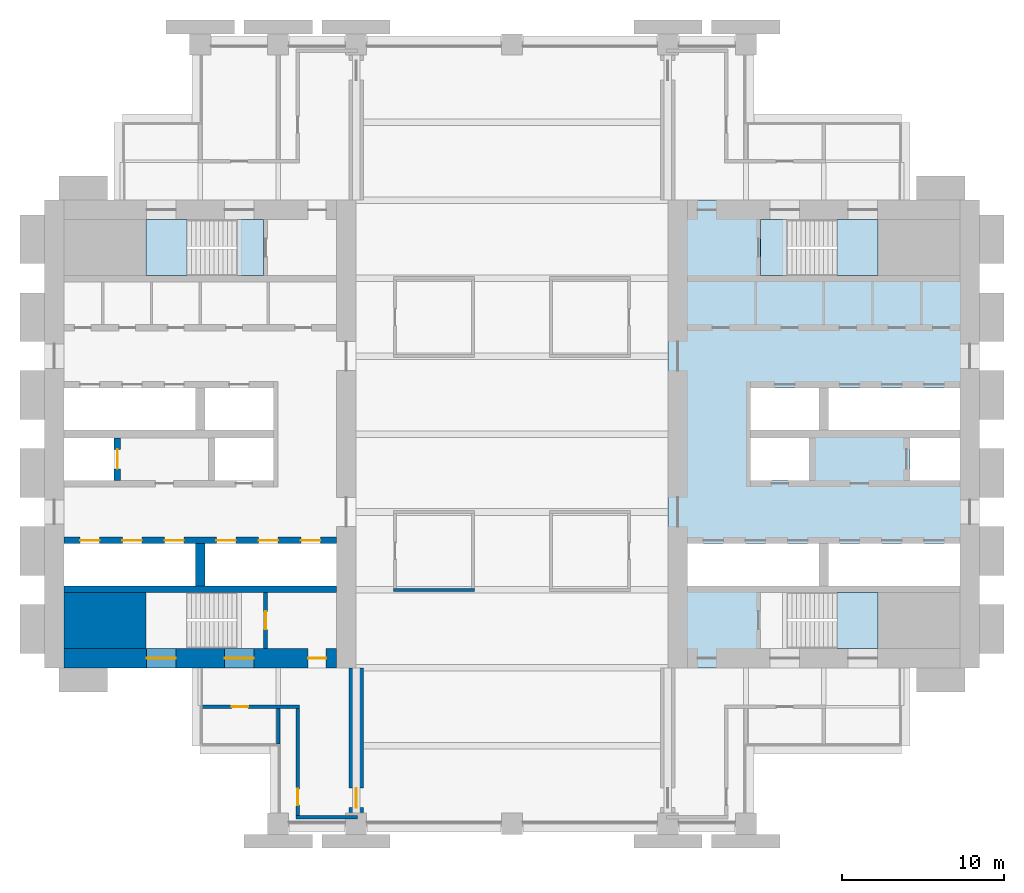
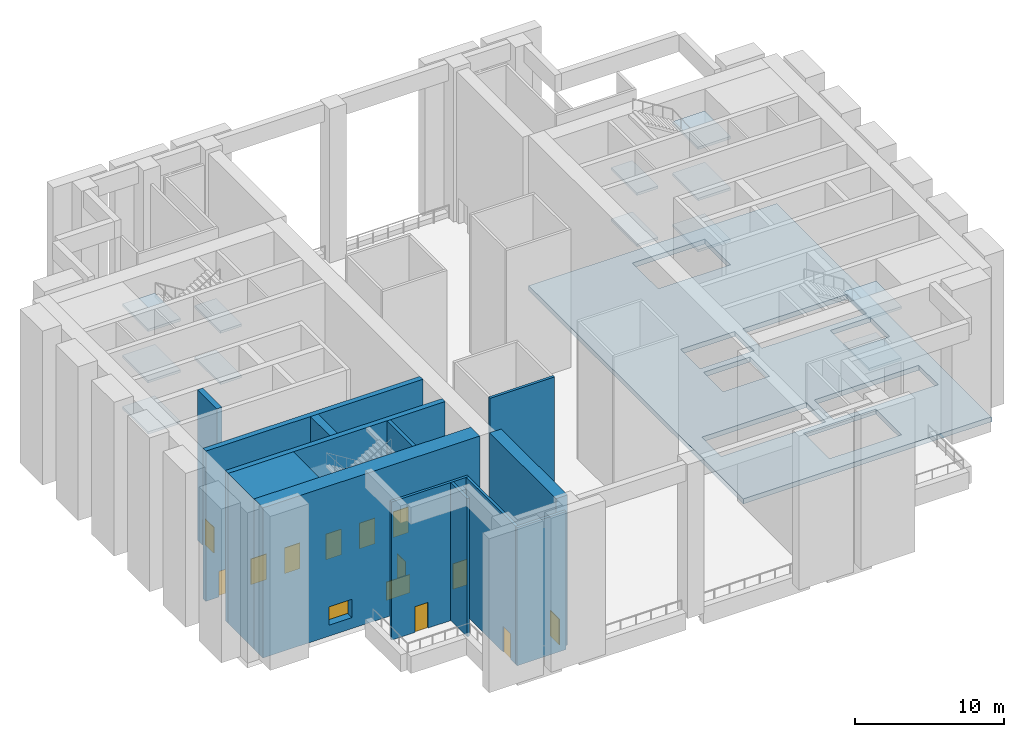
# One storey, part 2 of 10: 13 slabs, 13 walls, 12 doors, 2 windows, 14 openings, 3 elements without a shape of their own.
"""IFC4 building model written with IfcOpenShell, lengths in metres."""

from ifc_helpers import new_model, si_unit, direction, frame, frame_2d, origin, place, context, subcontext, project, spatial, polyline, rectangle, outline, extrude, material, layer, layer_set, type_object, element, fill, aggregate, save


model = new_model("IFC4")

# Units and contexts
model_context = context("Model", 3, precision=1e-05, world=origin(), true_north=direction((0.0, 1.0)))
body_context = subcontext(model_context, "Body", "Model", "MODEL_VIEW")
ifc_project = project(units=[si_unit("LENGTHUNIT", "METRE"), si_unit("AREAUNIT", "SQUARE_METRE"), si_unit("VOLUMEUNIT", "CUBIC_METRE"), si_unit("PLANEANGLEUNIT", "RADIAN"), si_unit("MASSUNIT", "GRAM", prefix="KILO")], contexts=[model_context])

# Site, building, storey
site_placement = place(None, origin())
site = spatial("IfcSite", under=ifc_project, at=site_placement, CompositionType="ELEMENT")
building_placement = place(site_placement, origin())
building = spatial("IfcBuilding", under=site, at=building_placement, Name="Baori Bourse Tower", CompositionType="ELEMENT")
storey_placement = place(building_placement, frame((0.0, 0.0, 91.5)))
storey = spatial("IfcBuildingStorey", under=building, at=storey_placement, Name="L20", CompositionType="ELEMENT", Elevation=91.5)

# Slab
ifc_material_1 = material(Name="Concrete f'c 50 MPa", Category="concrete")
ifc_layer_1 = layer(ifc_material_1, 0.39990234375)
ifc_layer_set_1 = layer_set([ifc_layer_1], Name="Core slab 400")
slab_type_1 = type_object("IfcSlabType", Name="Core slab 400", PredefinedType="FLOOR", material=ifc_layer_set_1)
slab_1_placement = place(storey_placement, frame((0.0, 0.0, -0.39990234375)))
element("IfcSlab", 1, at=slab_1_placement, inside=storey, type_object=slab_type_1, Name="Core floor slab E01", PredefinedType="FLOOR", context=body_context, shape_type="SweptSolid", body=[
    extrude(outline(polyline([(38.39990234375, 9.60009765625), (57.60009765625, 9.60009765625), (57.60009765625, 38.39990234375), (38.39990234375, 38.39990234375), (38.39990234375, 9.60009765625)]), holes=[polyline([(48.300048828125, 14.64990234375), (48.300048828125, 17.25), (56.39990234375, 17.25), (56.39990234375, 14.64990234375), (48.300048828125, 14.64990234375)]), polyline([(56.39990234375, 21.14990234375), (53.300048828125, 21.14990234375), (53.300048828125, 23.75), (56.39990234375, 23.75), (56.39990234375, 21.14990234375)]), polyline([(56.39990234375, 26.85009765625), (56.39990234375, 24.25), (48.300048828125, 24.25), (48.300048828125, 26.85009765625), (56.39990234375, 26.85009765625)]), polyline([(45.750732421875, 14.25), (51.35009765625, 14.25), (51.35009765625, 10.800048828125), (45.750732421875, 10.800048828125), (45.750732421875, 14.25)]), polyline([(51.35009765625, 37.199951171875), (51.35009765625, 33.75), (45.750732421875, 33.75), (45.750732421875, 37.199951171875), (51.35009765625, 37.199951171875)]), polyline([(39.60009765625, 17.25), (47.699951171875, 17.25), (47.699951171875, 14.64990234375), (39.60009765625, 14.64990234375), (39.60009765625, 17.25)]), polyline([(43.5, 24.25), (43.5, 26.85009765625), (47.699951171875, 26.85009765625), (47.699951171875, 24.25), (43.5, 24.25)]), polyline([(43.5, 23.75), (47.10009765625, 23.75), (47.10009765625, 21.14990234375), (43.5, 21.14990234375), (43.5, 23.75)])]), origin(), (0.0, 0.0, 1.0), 0.39990234375),
])

# Stair, slabs
ifc_material_2 = material(Name="Concrete f'c 50 MPa", Category="concrete")
stair_type = type_object("IfcStairType", Name="Core stair", PredefinedType="HALF_TURN_STAIR", material=ifc_material_2)
stair_1_placement = place(storey_placement, origin())
stair_1 = element("IfcStair", 2, at=stair_1_placement, inside=storey, type_object=stair_type, Name="L20 Stair WB", PredefinedType="HALF_TURN_STAIR")
ifc_material_3 = material(Name="Concrete f'c 50 MPa", Category="concrete")
slab_type_2 = type_object("IfcSlabType", Name="Core stair landing", PredefinedType="LANDING", material=ifc_material_3)
slab_2_placement = place(storey_placement, frame((0.0, 0.0, 1.89990234375)))
slab_2 = element("IfcSlab", 3, at=slab_2_placement, type_object=slab_type_2, Name="ST2 landing 1", PredefinedType="LANDING", context=body_context, shape_type="SweptSolid", body=[
    extrude(outline(polyline([(8.77001953125, 37.199951171875), (6.25, 37.199951171875), (6.25, 33.75), (8.77001953125, 33.75), (8.77001953125, 37.199951171875)])), origin(), (0.0, 0.0, 1.0), 0.2001953125),
])
slab_3_placement = place(storey_placement, frame((0.0, 0.0, 4.0)))
slab_3 = element("IfcSlab", 4, at=slab_3_placement, type_object=slab_type_2, Name="ST2 landing 2", PredefinedType="LANDING", context=body_context, shape_type="SweptSolid", body=[
    extrude(outline(polyline([(13.5, 37.199951171875), (11.85009765625, 37.199951171875), (11.85009765625, 33.75), (13.5, 33.75), (13.5, 37.199951171875)])), origin(), (0.0, 0.0, 1.0), 0.199951171875),
])
slab_4_placement = place(storey_placement, frame((0.0, 0.0, 6.10009765625)))
slab_4 = element("IfcSlab", 5, at=slab_4_placement, type_object=slab_type_2, Name="ST2 landing 3", PredefinedType="LANDING", context=body_context, shape_type="SweptSolid", body=[
    extrude(outline(polyline([(8.77001953125, 37.199951171875), (6.25, 37.199951171875), (6.25, 33.75), (8.77001953125, 33.75), (8.77001953125, 37.199951171875)])), origin(), (0.0, 0.0, 1.0), 0.199951171875),
])
slab_5_placement = place(storey_placement, frame((0.0, 0.0, 8.199951171875)))
slab_5 = element("IfcSlab", 6, at=slab_5_placement, type_object=slab_type_2, Name="ST2 landing 4", PredefinedType="LANDING", context=body_context, shape_type="SweptSolid", body=[
    extrude(outline(polyline([(13.5, 37.199951171875), (11.85009765625, 37.199951171875), (11.85009765625, 33.75), (13.5, 33.75), (13.5, 37.199951171875)])), origin(), (0.0, 0.0, 1.0), 0.199951171875),
])
slab_6_placement = place(storey_placement, frame((0.0, 0.0, 10.300048828125)))
slab_6 = element("IfcSlab", 7, at=slab_6_placement, type_object=slab_type_2, Name="ST2 landing 5", PredefinedType="LANDING", context=body_context, shape_type="SweptSolid", body=[
    extrude(outline(polyline([(8.77001953125, 37.199951171875), (6.25, 37.199951171875), (6.25, 33.75), (8.77001953125, 33.75), (8.77001953125, 37.199951171875)])), origin(), (0.0, 0.0, 1.0), 0.199951171875),
])
aggregate(stair_1, [slab_2, slab_3, slab_4, slab_5, slab_6])

stair_2_placement = place(storey_placement, origin())
stair_2 = element("IfcStair", 8, at=stair_2_placement, inside=storey, type_object=stair_type, Name="L20 Stair EA", PredefinedType="HALF_TURN_STAIR")
slab_7_placement = place(storey_placement, frame((0.0, 0.0, 6.10009765625)))
slab_7 = element("IfcSlab", 9, at=slab_7_placement, type_object=slab_type_2, Name="ST3 landing 3", PredefinedType="LANDING", context=body_context, shape_type="SweptSolid", body=[
    extrude(outline(polyline([(48.830078125, 10.800048828125), (51.35009765625, 10.800048828125), (51.35009765625, 14.25), (48.830078125, 14.25), (48.830078125, 10.800048828125)])), origin(), (0.0, 0.0, 1.0), 0.199951171875),
])
slab_8_placement = place(storey_placement, frame((0.0, 0.0, 10.300048828125)))
slab_8 = element("IfcSlab", 10, at=slab_8_placement, type_object=slab_type_2, Name="ST3 landing 5", PredefinedType="LANDING", context=body_context, shape_type="SweptSolid", body=[
    extrude(outline(polyline([(48.830078125, 10.800048828125), (51.35009765625, 10.800048828125), (51.35009765625, 14.25), (48.830078125, 14.25), (48.830078125, 10.800048828125)])), origin(), (0.0, 0.0, 1.0), 0.199951171875),
])
aggregate(stair_2, [slab_7, slab_8])

stair_3_placement = place(storey_placement, origin())
stair_3 = element("IfcStair", 11, at=stair_3_placement, inside=storey, type_object=stair_type, Name="L20 Stair EB", PredefinedType="HALF_TURN_STAIR")
slab_9_placement = place(storey_placement, frame((0.0, 0.0, 1.89990234375)))
slab_9 = element("IfcSlab", 12, at=slab_9_placement, type_object=slab_type_2, Name="ST4 landing 1", PredefinedType="LANDING", context=body_context, shape_type="SweptSolid", body=[
    extrude(outline(polyline([(48.830078125, 33.75), (51.35009765625, 33.75), (51.35009765625, 37.199951171875), (48.830078125, 37.199951171875), (48.830078125, 33.75)])), origin(), (0.0, 0.0, 1.0), 0.2001953125),
])
slab_10_placement = place(storey_placement, frame((0.0, 0.0, 4.0)))
slab_10 = element("IfcSlab", 13, at=slab_10_placement, type_object=slab_type_2, Name="ST4 landing 2", PredefinedType="LANDING", context=body_context, shape_type="SweptSolid", body=[
    extrude(outline(polyline([(44.10009765625, 33.75), (45.75, 33.75), (45.75, 37.199951171875), (44.10009765625, 37.199951171875), (44.10009765625, 33.75)])), origin(), (0.0, 0.0, 1.0), 0.199951171875),
])
slab_11_placement = place(storey_placement, frame((0.0, 0.0, 6.10009765625)))
slab_11 = element("IfcSlab", 14, at=slab_11_placement, type_object=slab_type_2, Name="ST4 landing 3", PredefinedType="LANDING", context=body_context, shape_type="SweptSolid", body=[
    extrude(outline(polyline([(48.830078125, 33.75), (51.35009765625, 33.75), (51.35009765625, 37.199951171875), (48.830078125, 37.199951171875), (48.830078125, 33.75)])), origin(), (0.0, 0.0, 1.0), 0.199951171875),
])
slab_12_placement = place(storey_placement, frame((0.0, 0.0, 8.199951171875)))
slab_12 = element("IfcSlab", 15, at=slab_12_placement, type_object=slab_type_2, Name="ST4 landing 4", PredefinedType="LANDING", context=body_context, shape_type="SweptSolid", body=[
    extrude(outline(polyline([(44.10009765625, 33.75), (45.75, 33.75), (45.75, 37.199951171875), (44.10009765625, 37.199951171875), (44.10009765625, 33.75)])), origin(), (0.0, 0.0, 1.0), 0.199951171875),
])
slab_13_placement = place(storey_placement, frame((0.0, 0.0, 10.300048828125)))
slab_13 = element("IfcSlab", 16, at=slab_13_placement, type_object=slab_type_2, Name="ST4 landing 5", PredefinedType="LANDING", context=body_context, shape_type="SweptSolid", body=[
    extrude(outline(polyline([(48.830078125, 33.75), (51.35009765625, 33.75), (51.35009765625, 37.199951171875), (48.830078125, 37.199951171875), (48.830078125, 33.75)])), origin(), (0.0, 0.0, 1.0), 0.199951171875),
])
aggregate(stair_3, [slab_9, slab_10, slab_11, slab_12, slab_13])

# Wall
ifc_material_4 = material(Name="Concrete f'c 70 MPa", Category="concrete")
wall_type_1 = type_object("IfcWallType", Name="Core corner block f'c 70", PredefinedType="SHEAR", material=ifc_material_4)
wall_1_placement = place(storey_placement, frame((1.199951171875, 12.52490234375, 0.0), z_axis=(0.0, 0.0, 1.0), x_axis=(1.0, 0.0, 0.0)))
element("IfcWall", 17, at=wall_1_placement, inside=storey, type_object=wall_type_1, Name="Core wall W04", PredefinedType="SHEAR", context=body_context, shape_type="SweptSolid", body=[
    extrude(rectangle(XDim=5.050048828125, YDim=3.449951171875, at=frame_2d((2.52490234375, 0.0))), origin(), (0.0, 0.0, 1.0), 12.300048828125),
])

# Wall, openings, door, windows
ifc_material_5 = material(Name="Concrete f'c 70 MPa", Category="concrete")
ifc_layer_2 = layer(ifc_material_5, 1.199951171875)
ifc_layer_set_2 = layer_set([ifc_layer_2], Name="Core wall 1200 f'c 70")
wall_type_2 = type_object("IfcWallType", Name="Core wall 1200 f'c 70", PredefinedType="SHEAR", material=ifc_layer_set_2)
wall_2_placement = place(storey_placement, frame((18.0, 10.199951171875, 0.0), z_axis=(0.0, 0.0, 1.0), x_axis=(-1.0, 0.0, 0.0)))
wall_2 = element("IfcWall", 18, at=wall_2_placement, inside=storey, type_object=wall_type_2, Name="Core wall W02", PredefinedType="SHEAR", context=body_context, shape_type="SweptSolid", body=[
    extrude(rectangle(XDim=16.800048828125, YDim=1.199951171875, at=frame_2d((8.39990234375, 0.0))), origin(), (0.0, 0.0, 1.0), 12.300048828125),
])
opening_1_placement = place(wall_2_placement, frame((0.64990234375, 0.0, 0.0)))
opening_1 = element("IfcOpeningElement", 19, at=opening_1_placement, cuts=wall_2, Name="Opening L20-D102", PredefinedType="OPENING", context=body_context, shape_type="SweptSolid", body=[
    extrude(rectangle(XDim=1.10009765625, YDim=2.10009765625, at=frame_2d((0.550048828125, 1.050048828125))), frame((0.0, 0.60986328125, 0.0), z_axis=(0.0, -1.0, 0.0), x_axis=(1.0, 0.0, 0.0)), (0.0, 0.0, 1.0), 1.219970703125),
])
opening_2_placement = place(wall_2_placement, frame((9.89990234375, 0.0, 0.89990234375)))
opening_2 = element("IfcOpeningElement", 20, at=opening_2_placement, cuts=wall_2, Name="Opening L20-KW103", PredefinedType="OPENING", context=body_context, shape_type="SweptSolid", body=[
    extrude(rectangle(XDim=1.800048828125, YDim=1.5, at=frame_2d((0.89990234375, 0.75))), frame((0.0, 0.60986328125, 0.0), z_axis=(0.0, -1.0, 0.0), x_axis=(1.0, 0.0, 0.0)), (0.0, 0.0, 1.0), 1.219970703125),
])
opening_3_placement = place(wall_2_placement, frame((5.10009765625, 0.0, 0.89990234375)))
opening_3 = element("IfcOpeningElement", 21, at=opening_3_placement, cuts=wall_2, Name="Opening L20-KW104", PredefinedType="OPENING", context=body_context, shape_type="SweptSolid", body=[
    extrude(rectangle(XDim=1.800048828125, YDim=1.5, at=frame_2d((0.89990234375, 0.75))), frame((0.0, 0.60986328125, 0.0), z_axis=(0.0, -1.0, 0.0), x_axis=(1.0, 0.0, 0.0)), (0.0, 0.0, 1.0), 1.219970703125),
])
ifc_material_6 = material(Name="Painted steel door", Category="steel")
door_type_1 = type_object("IfcDoorType", Name="Stair door 1100", OperationType="SINGLE_SWING_LEFT", PredefinedType="DOOR", material=ifc_material_6)
door_1_placement = place(opening_1_placement, origin())
door_1 = element("IfcDoor", 22, at=door_1_placement, inside=storey, type_object=door_type_1, Name="Stair vestibule door A W L20", OperationType="SINGLE_SWING_LEFT", OverallHeight=2.10009765625, OverallWidth=1.10009765625, PredefinedType="DOOR", context=body_context, shape_type="SweptSolid", body=[
    extrude(rectangle(XDim=1.10009765625, YDim=2.10009765625, at=frame_2d((0.550048828125, 1.050048828125))), frame((0.0, 0.02490234375, 0.0), z_axis=(0.0, -1.0, 0.0), x_axis=(1.0, 0.0, 0.0)), (0.0, 0.0, 1.0), 0.050048828125),
])
fill(opening_1, door_1)
ifc_material_7 = material(Name="Pale anodised aluminium", Category="aluminium")
window_type = type_object("IfcWindowType", Name="Stair window 1800 x 1500", PartitioningType="SINGLE_PANEL", PredefinedType="WINDOW", material=ifc_material_7)
window_1_placement = place(opening_2_placement, origin())
window_1 = element("IfcWindow", 23, at=window_1_placement, inside=storey, type_object=window_type, Name="Stair window W L20 3", OverallHeight=1.5, OverallWidth=1.800048828125, PartitioningType="SINGLE_PANEL", PredefinedType="WINDOW", context=body_context, shape_type="SweptSolid", body=[
    extrude(rectangle(XDim=1.800048828125, YDim=1.5, at=frame_2d((0.89990234375, 0.75))), frame((0.0, 0.030029296875, 0.0), z_axis=(0.0, -1.0, 0.0), x_axis=(1.0, 0.0, 0.0)), (0.0, 0.0, 1.0), 0.06005859375),
])
fill(opening_2, window_1)
window_2_placement = place(opening_3_placement, origin())
window_2 = element("IfcWindow", 24, at=window_2_placement, inside=storey, type_object=window_type, Name="Stair window W L20 4", OverallHeight=1.5, OverallWidth=1.800048828125, PartitioningType="SINGLE_PANEL", PredefinedType="WINDOW", context=body_context, shape_type="SweptSolid", body=[
    extrude(rectangle(XDim=1.800048828125, YDim=1.5, at=frame_2d((0.89990234375, 0.75))), frame((0.0, 0.030029296875, 0.0), z_axis=(0.0, -1.0, 0.0), x_axis=(1.0, 0.0, 0.0)), (0.0, 0.0, 1.0), 0.06005859375),
])
fill(opening_3, window_2)

# Wall, opening, door
ifc_material_8 = material(Name="Concrete f'c 70 MPa", Category="concrete")
ifc_layer_3 = layer(ifc_material_8, 0.89990234375)
ifc_layer_set_3 = layer_set([ifc_layer_3], Name="Outrigger wall 900 70")
wall_type_3 = type_object("IfcWallType", Name="Outrigger wall 900 70", PredefinedType="SHEAR", material=ifc_layer_set_3)
wall_3_placement = place(storey_placement, frame((19.199951171875, 0.699951171875, 0.0), z_axis=(0.0, 0.0, 1.0), x_axis=(0.0, 1.0, 0.0)))
wall_3 = element("IfcWall", 25, at=wall_3_placement, inside=storey, type_object=wall_type_3, Name="Outrigger wall L20", PredefinedType="SHEAR", context=body_context, shape_type="SweptSolid", body=[
    extrude(rectangle(XDim=8.900146484375, YDim=0.89990234375, at=frame_2d((4.4501953125, 0.0))), origin(), (0.0, 0.0, 1.0), 12.300048828125),
])
opening_4_placement = place(wall_3_placement, frame((0.300048828125, 0.0, 0.0)))
opening_4 = element("IfcOpeningElement", 26, at=opening_4_placement, cuts=wall_3, Name="Opening L20-D13", PredefinedType="OPENING", context=body_context, shape_type="SweptSolid", body=[
    extrude(rectangle(XDim=1.199951171875, YDim=2.10009765625, at=frame_2d((0.60009765625, 1.050048828125))), frame((0.0, 0.4599609375, 0.0), z_axis=(0.0, -1.0, 0.0), x_axis=(1.0, 0.0, 0.0)), (0.0, 0.0, 1.0), 0.919921875),
])
ifc_material_9 = material(Name="Timber door leaf", Category="wood")
door_type_2 = type_object("IfcDoorType", Name="Door 1200 x 2100", OperationType="SINGLE_SWING_LEFT", PredefinedType="DOOR", material=ifc_material_9)
door_2_placement = place(opening_4_placement, origin())
door_2 = element("IfcDoor", 27, at=door_2_placement, inside=storey, type_object=door_type_2, Name="Door", OperationType="SINGLE_SWING_LEFT", OverallHeight=2.10009765625, OverallWidth=1.199951171875, PredefinedType="DOOR", context=body_context, shape_type="SweptSolid", body=[
    extrude(rectangle(XDim=1.199951171875, YDim=2.10009765625, at=frame_2d((0.60009765625, 1.050048828125))), frame((0.0, 0.02490234375, 0.0), z_axis=(0.0, -1.0, 0.0), x_axis=(1.0, 0.0, 0.0)), (0.0, 0.0, 1.0), 0.050048828125),
])
fill(opening_4, door_2)

# Wall
ifc_material_10 = material(Name="Gypsum board partition")
ifc_layer_4 = layer(ifc_material_10, 0.199951171875)
ifc_layer_set_4 = layer_set([ifc_layer_4], Name="Plant room wall 200")
wall_type_4 = type_object("IfcWallType", Name="Plant room wall 200", PredefinedType="PARTITIONING", material=ifc_layer_set_4)
wall_4_placement = place(storey_placement, frame((15.5, 0.39990234375, 0.0), z_axis=(0.0, 0.0, 1.0), x_axis=(1.0, 0.0, 0.0)))
element("IfcWall", 28, at=wall_4_placement, inside=storey, type_object=wall_type_4, Name="Partition", PredefinedType="PARTITIONING", context=body_context, shape_type="SweptSolid", body=[
    extrude(rectangle(XDim=3.800048828125, YDim=0.199951171875, at=frame_2d((1.89990234375, 0.0))), origin(), (0.0, 0.0, 1.0), 11.309326171875),
])

# Wall, opening, door
wall_5_placement = place(storey_placement, frame((9.699951171875, 7.199951171875, 0.0), z_axis=(0.0, 0.0, 1.0), x_axis=(1.0, 0.0, 0.0)))
wall_5 = element("IfcWall", 29, at=wall_5_placement, inside=storey, type_object=wall_type_4, Name="Partition", PredefinedType="PARTITIONING", context=body_context, shape_type="SweptSolid", body=[
    extrude(rectangle(XDim=6.0, YDim=0.199951171875, at=frame_2d((3.0, 0.0))), origin(), (0.0, 0.0, 1.0), 11.309326171875),
])
opening_5_placement = place(wall_5_placement, frame((1.85009765625, 0.0, 0.0)))
opening_5 = element("IfcOpeningElement", 30, at=opening_5_placement, cuts=wall_5, Name="Opening L20-D01", PredefinedType="OPENING", context=body_context, shape_type="SweptSolid", body=[
    extrude(rectangle(XDim=1.0, YDim=2.10009765625, at=frame_2d((0.5, 1.050048828125))), frame((0.0, 0.10986328125, 0.0), z_axis=(0.0, -1.0, 0.0), x_axis=(1.0, 0.0, 0.0)), (0.0, 0.0, 1.0), 0.219970703125),
])
ifc_material_11 = material(Name="Timber door leaf", Category="wood")
door_type_3 = type_object("IfcDoorType", Name="Door 1000 x 2100", OperationType="SINGLE_SWING_LEFT", PredefinedType="DOOR", material=ifc_material_11)
door_3_placement = place(opening_5_placement, origin())
door_3 = element("IfcDoor", 31, at=door_3_placement, inside=storey, type_object=door_type_3, Name="Door", OperationType="SINGLE_SWING_LEFT", OverallHeight=2.10009765625, OverallWidth=1.0, PredefinedType="DOOR", context=body_context, shape_type="SweptSolid", body=[
    extrude(rectangle(XDim=1.0, YDim=2.10009765625, at=frame_2d((0.5, 1.050048828125))), frame((0.0, 0.02490234375, 0.0), z_axis=(0.0, -1.0, 0.0), x_axis=(1.0, 0.0, 0.0)), (0.0, 0.0, 1.0), 0.050048828125),
])
fill(opening_5, door_3)

# Walls
wall_6_placement = place(storey_placement, frame((21.5, 14.39990234375, 0.0), z_axis=(0.0, 0.0, 1.0), x_axis=(1.0, 0.0, 0.0)))
element("IfcWall", 32, at=wall_6_placement, inside=storey, type_object=wall_type_4, Name="Partition", PredefinedType="PARTITIONING", context=body_context, shape_type="SweptSolid", body=[
    extrude(rectangle(XDim=5.0, YDim=0.199951171875, at=frame_2d((2.5, 0.0))), origin(), (0.0, 0.0, 1.0), 11.309326171875),
])
wall_7_placement = place(storey_placement, frame((14.39990234375, 4.89990234375, 0.0), z_axis=(0.0, 0.0, 1.0), x_axis=(0.0, 1.0, 0.0)))
element("IfcWall", 33, at=wall_7_placement, inside=storey, type_object=wall_type_4, Name="Partition", PredefinedType="PARTITIONING", context=body_context, shape_type="SweptSolid", body=[
    extrude(rectangle(XDim=2.2001953125, YDim=0.199951171875, at=frame_2d((1.10009765625, 0.0))), origin(), (0.0, 0.0, 1.0), 11.309326171875),
])

# Wall, opening, door
wall_8_placement = place(storey_placement, frame((15.60009765625, 0.5, 0.0), z_axis=(0.0, 0.0, 1.0), x_axis=(0.0, 1.0, 0.0)))
wall_8 = element("IfcWall", 34, at=wall_8_placement, inside=storey, type_object=wall_type_4, Name="Partition", PredefinedType="PARTITIONING", context=body_context, shape_type="SweptSolid", body=[
    extrude(rectangle(XDim=6.60009765625, YDim=0.199951171875, at=frame_2d((3.300048828125, 0.0))), origin(), (0.0, 0.0, 1.0), 11.309326171875),
])
opening_6_placement = place(wall_8_placement, frame((0.64990234375, 0.0, 0.0)))
opening_6 = element("IfcOpeningElement", 35, at=opening_6_placement, cuts=wall_8, Name="Opening L20-D05", PredefinedType="OPENING", context=body_context, shape_type="SweptSolid", body=[
    extrude(rectangle(XDim=1.0, YDim=2.10009765625, at=frame_2d((0.5, 1.050048828125))), frame((0.0, 0.10986328125, 0.0), z_axis=(0.0, -1.0, 0.0), x_axis=(1.0, 0.0, 0.0)), (0.0, 0.0, 1.0), 0.219970703125),
])
door_4_placement = place(opening_6_placement, origin())
door_4 = element("IfcDoor", 36, at=door_4_placement, inside=storey, type_object=door_type_3, Name="Door", OperationType="SINGLE_SWING_RIGHT", OverallHeight=2.10009765625, OverallWidth=1.0, PredefinedType="DOOR", context=body_context, shape_type="SweptSolid", body=[
    extrude(rectangle(XDim=1.0, YDim=2.10009765625, at=frame_2d((0.5, 1.050048828125))), frame((0.0, 0.02490234375, 0.0), z_axis=(0.0, -1.0, 0.0), x_axis=(1.0, 0.0, 0.0)), (0.0, 0.0, 1.0), 0.050048828125),
])
fill(opening_6, door_4)

ifc_material_12 = material(Name="Concrete f'c 70 MPa", Category="concrete")
ifc_layer_5 = layer(ifc_material_12, 0.25)
ifc_layer_set_5 = layer_set([ifc_layer_5], Name="Shaft wall 250 f'c 70")
wall_type_5 = type_object("IfcWallType", Name="Shaft wall 250 f'c 70", PredefinedType="SHEAR", material=ifc_layer_set_5)
wall_9_placement = place(storey_placement, frame((13.625, 10.800048828125, 0.0), z_axis=(0.0, 0.0, 1.0), x_axis=(0.0, 1.0, 0.0)))
wall_9 = element("IfcWall", 37, at=wall_9_placement, inside=storey, type_object=wall_type_5, Name="Core wall W05", PredefinedType="SHEAR", context=body_context, shape_type="SweptSolid", body=[
    extrude(rectangle(XDim=3.449951171875, YDim=0.25, at=frame_2d((1.72509765625, 0.0))), origin(), (0.0, 0.0, 1.0), 12.300048828125),
])
opening_7_placement = place(wall_9_placement, frame((1.175048828125, 0.0, 0.0)))
opening_7 = element("IfcOpeningElement", 38, at=opening_7_placement, cuts=wall_9, Name="Opening L20-D101", PredefinedType="OPENING", context=body_context, shape_type="SweptSolid", body=[
    extrude(rectangle(XDim=1.10009765625, YDim=2.10009765625, at=frame_2d((0.550048828125, 1.050048828125))), frame((0.0, 0.135009765625, 0.0), z_axis=(0.0, -1.0, 0.0), x_axis=(1.0, 0.0, 0.0)), (0.0, 0.0, 1.0), 0.27001953125),
])
door_5_placement = place(opening_7_placement, origin())
door_5 = element("IfcDoor", 39, at=door_5_placement, inside=storey, type_object=door_type_1, Name="Stair door A W L20", OperationType="SINGLE_SWING_LEFT", OverallHeight=2.10009765625, OverallWidth=1.10009765625, PredefinedType="DOOR", context=body_context, shape_type="SweptSolid", body=[
    extrude(rectangle(XDim=1.10009765625, YDim=2.10009765625, at=frame_2d((0.550048828125, 1.050048828125))), frame((0.0, 0.02490234375, 0.0), z_axis=(0.0, -1.0, 0.0), x_axis=(1.0, 0.0, 0.0)), (0.0, 0.0, 1.0), 0.050048828125),
])
fill(opening_7, door_5)

# Wall
ifc_material_13 = material(Name="Concrete f'c 70 MPa", Category="concrete")
ifc_layer_6 = layer(ifc_material_13, 0.39990234375)
ifc_layer_set_6 = layer_set([ifc_layer_6], Name="Shaft wall 400 f'c 70")
wall_type_6 = type_object("IfcWallType", Name="Shaft wall 400 f'c 70", PredefinedType="SHEAR", material=ifc_layer_set_6)
wall_10_placement = place(storey_placement, frame((1.199951171875, 14.449951171875, 0.0), z_axis=(0.0, 0.0, 1.0), x_axis=(1.0, 0.0, 0.0)))
element("IfcWall", 40, at=wall_10_placement, inside=storey, type_object=wall_type_6, Name="Core wall W06", PredefinedType="SHEAR", context=body_context, shape_type="SweptSolid", body=[
    extrude(rectangle(XDim=16.800048828125, YDim=0.39990234375, at=frame_2d((8.39990234375, 0.0))), origin(), (0.0, 0.0, 1.0), 12.300048828125),
])

# Wall, openings, doors
wall_11_placement = place(storey_placement, frame((1.199951171875, 17.449951171875, 0.0), z_axis=(0.0, 0.0, 1.0), x_axis=(1.0, 0.0, 0.0)))
wall_11 = element("IfcWall", 41, at=wall_11_placement, inside=storey, type_object=wall_type_6, Name="Core wall W08", PredefinedType="SHEAR", context=body_context, shape_type="SweptSolid", body=[
    extrude(rectangle(XDim=16.800048828125, YDim=0.39990234375, at=frame_2d((8.39990234375, 0.0))), origin(), (0.0, 0.0, 1.0), 12.300048828125),
])
opening_8_placement = place(wall_11_placement, frame((1.0, 0.0, 0.0)))
opening_8 = element("IfcOpeningElement", 42, at=opening_8_placement, cuts=wall_11, Name="Opening L20-D114", PredefinedType="OPENING", context=body_context, shape_type="SweptSolid", body=[
    extrude(rectangle(XDim=1.199951171875, YDim=2.10009765625, at=frame_2d((0.60009765625, 1.050048828125))), frame((0.0, 0.2099609375, 0.0), z_axis=(0.0, -1.0, 0.0), x_axis=(1.0, 0.0, 0.0)), (0.0, 0.0, 1.0), 0.419921875),
])
opening_9_placement = place(wall_11_placement, frame((3.60009765625, 0.0, 0.0)))
opening_9 = element("IfcOpeningElement", 43, at=opening_9_placement, cuts=wall_11, Name="Opening L20-D115", PredefinedType="OPENING", context=body_context, shape_type="SweptSolid", body=[
    extrude(rectangle(XDim=1.199951171875, YDim=2.10009765625, at=frame_2d((0.60009765625, 1.050048828125))), frame((0.0, 0.2099609375, 0.0), z_axis=(0.0, -1.0, 0.0), x_axis=(1.0, 0.0, 0.0)), (0.0, 0.0, 1.0), 0.419921875),
])
opening_10_placement = place(wall_11_placement, frame((6.199951171875, 0.0, 0.0)))
opening_10 = element("IfcOpeningElement", 44, at=opening_10_placement, cuts=wall_11, Name="Opening L20-D116", PredefinedType="OPENING", context=body_context, shape_type="SweptSolid", body=[
    extrude(rectangle(XDim=1.199951171875, YDim=2.10009765625, at=frame_2d((0.60009765625, 1.050048828125))), frame((0.0, 0.2099609375, 0.0), z_axis=(0.0, -1.0, 0.0), x_axis=(1.0, 0.0, 0.0)), (0.0, 0.0, 1.0), 0.419921875),
])
opening_11_placement = place(wall_11_placement, frame((9.39990234375, 0.0, 0.0)))
opening_11 = element("IfcOpeningElement", 45, at=opening_11_placement, cuts=wall_11, Name="Opening L20-D117", PredefinedType="OPENING", context=body_context, shape_type="SweptSolid", body=[
    extrude(rectangle(XDim=1.199951171875, YDim=2.10009765625, at=frame_2d((0.60009765625, 1.050048828125))), frame((0.0, 0.2099609375, 0.0), z_axis=(0.0, -1.0, 0.0), x_axis=(1.0, 0.0, 0.0)), (0.0, 0.0, 1.0), 0.419921875),
])
opening_12_placement = place(wall_11_placement, frame((12.0, 0.0, 0.0)))
opening_12 = element("IfcOpeningElement", 46, at=opening_12_placement, cuts=wall_11, Name="Opening L20-D118", PredefinedType="OPENING", context=body_context, shape_type="SweptSolid", body=[
    extrude(rectangle(XDim=1.199951171875, YDim=2.10009765625, at=frame_2d((0.60009765625, 1.050048828125))), frame((0.0, 0.2099609375, 0.0), z_axis=(0.0, -1.0, 0.0), x_axis=(1.0, 0.0, 0.0)), (0.0, 0.0, 1.0), 0.419921875),
])
opening_13_placement = place(wall_11_placement, frame((14.60009765625, 0.0, 0.0)))
opening_13 = element("IfcOpeningElement", 47, at=opening_13_placement, cuts=wall_11, Name="Opening L20-D119", PredefinedType="OPENING", context=body_context, shape_type="SweptSolid", body=[
    extrude(rectangle(XDim=1.199951171875, YDim=2.10009765625, at=frame_2d((0.60009765625, 1.050048828125))), frame((0.0, 0.2099609375, 0.0), z_axis=(0.0, -1.0, 0.0), x_axis=(1.0, 0.0, 0.0)), (0.0, 0.0, 1.0), 0.419921875),
])
ifc_material_14 = material(Name="Stainless steel door", Category="steel")
door_type_4 = type_object("IfcDoorType", Name="Lift landing door", OperationType="DOUBLE_DOOR_SLIDING", PredefinedType="DOOR", material=ifc_material_14)
door_6_placement = place(opening_8_placement, origin())
door_6 = element("IfcDoor", 48, at=door_6_placement, inside=storey, type_object=door_type_4, Name="Lift landing door LR1 W L20", OperationType="DOUBLE_DOOR_SLIDING", OverallHeight=2.10009765625, OverallWidth=1.199951171875, PredefinedType="DOOR", context=body_context, shape_type="SweptSolid", body=[
    extrude(rectangle(XDim=1.199951171875, YDim=2.10009765625, at=frame_2d((0.60009765625, 1.050048828125))), frame((0.0, 0.02490234375, 0.0), z_axis=(0.0, -1.0, 0.0), x_axis=(1.0, 0.0, 0.0)), (0.0, 0.0, 1.0), 0.050048828125),
])
fill(opening_8, door_6)
door_7_placement = place(opening_9_placement, origin())
door_7 = element("IfcDoor", 49, at=door_7_placement, inside=storey, type_object=door_type_4, Name="Lift landing door LR2 W L20", OperationType="DOUBLE_DOOR_SLIDING", OverallHeight=2.10009765625, OverallWidth=1.199951171875, PredefinedType="DOOR", context=body_context, shape_type="SweptSolid", body=[
    extrude(rectangle(XDim=1.199951171875, YDim=2.10009765625, at=frame_2d((0.60009765625, 1.050048828125))), frame((0.0, 0.02490234375, 0.0), z_axis=(0.0, -1.0, 0.0), x_axis=(1.0, 0.0, 0.0)), (0.0, 0.0, 1.0), 0.050048828125),
])
fill(opening_9, door_7)
door_8_placement = place(opening_10_placement, origin())
door_8 = element("IfcDoor", 50, at=door_8_placement, inside=storey, type_object=door_type_4, Name="Lift landing door LR3 W L20", OperationType="DOUBLE_DOOR_SLIDING", OverallHeight=2.10009765625, OverallWidth=1.199951171875, PredefinedType="DOOR", context=body_context, shape_type="SweptSolid", body=[
    extrude(rectangle(XDim=1.199951171875, YDim=2.10009765625, at=frame_2d((0.60009765625, 1.050048828125))), frame((0.0, 0.02490234375, 0.0), z_axis=(0.0, -1.0, 0.0), x_axis=(1.0, 0.0, 0.0)), (0.0, 0.0, 1.0), 0.050048828125),
])
fill(opening_10, door_8)
door_9_placement = place(opening_11_placement, origin())
door_9 = element("IfcDoor", 51, at=door_9_placement, inside=storey, type_object=door_type_4, Name="Lift landing door LR4 W L20", OperationType="DOUBLE_DOOR_SLIDING", OverallHeight=2.10009765625, OverallWidth=1.199951171875, PredefinedType="DOOR", context=body_context, shape_type="SweptSolid", body=[
    extrude(rectangle(XDim=1.199951171875, YDim=2.10009765625, at=frame_2d((0.60009765625, 1.050048828125))), frame((0.0, 0.02490234375, 0.0), z_axis=(0.0, -1.0, 0.0), x_axis=(1.0, 0.0, 0.0)), (0.0, 0.0, 1.0), 0.050048828125),
])
fill(opening_11, door_9)
door_10_placement = place(opening_12_placement, origin())
door_10 = element("IfcDoor", 52, at=door_10_placement, inside=storey, type_object=door_type_4, Name="Lift landing door LR5 W L20", OperationType="DOUBLE_DOOR_SLIDING", OverallHeight=2.10009765625, OverallWidth=1.199951171875, PredefinedType="DOOR", context=body_context, shape_type="SweptSolid", body=[
    extrude(rectangle(XDim=1.199951171875, YDim=2.10009765625, at=frame_2d((0.60009765625, 1.050048828125))), frame((0.0, 0.02490234375, 0.0), z_axis=(0.0, -1.0, 0.0), x_axis=(1.0, 0.0, 0.0)), (0.0, 0.0, 1.0), 0.050048828125),
])
fill(opening_12, door_10)
door_11_placement = place(opening_13_placement, origin())
door_11 = element("IfcDoor", 53, at=door_11_placement, inside=storey, type_object=door_type_4, Name="Lift landing door LR6 W L20", OperationType="DOUBLE_DOOR_SLIDING", OverallHeight=2.10009765625, OverallWidth=1.199951171875, PredefinedType="DOOR", context=body_context, shape_type="SweptSolid", body=[
    extrude(rectangle(XDim=1.199951171875, YDim=2.10009765625, at=frame_2d((0.60009765625, 1.050048828125))), frame((0.0, 0.02490234375, 0.0), z_axis=(0.0, -1.0, 0.0), x_axis=(1.0, 0.0, 0.0)), (0.0, 0.0, 1.0), 0.050048828125),
])
fill(opening_13, door_11)

# Wall, opening, door
wall_12_placement = place(storey_placement, frame((4.5, 21.14990234375, 0.0), z_axis=(0.0, 0.0, 1.0), x_axis=(0.0, 1.0, 0.0)))
wall_12 = element("IfcWall", 54, at=wall_12_placement, inside=storey, type_object=wall_type_6, Name="Core wall W11", PredefinedType="SHEAR", context=body_context, shape_type="SweptSolid", body=[
    extrude(rectangle(XDim=2.60009765625, YDim=0.39990234375, at=frame_2d((1.300048828125, 0.0))), origin(), (0.0, 0.0, 1.0), 12.300048828125),
])
opening_14_placement = place(wall_12_placement, frame((0.699951171875, 0.0, 0.0)))
opening_14 = element("IfcOpeningElement", 55, at=opening_14_placement, cuts=wall_12, Name="Opening L20-D124", PredefinedType="OPENING", context=body_context, shape_type="SweptSolid", body=[
    extrude(rectangle(XDim=1.199951171875, YDim=2.10009765625, at=frame_2d((0.60009765625, 1.050048828125))), frame((0.0, 0.2099609375, 0.0), z_axis=(0.0, -1.0, 0.0), x_axis=(1.0, 0.0, 0.0)), (0.0, 0.0, 1.0), 0.419921875),
])
door_12_placement = place(opening_14_placement, origin())
door_12 = element("IfcDoor", 56, at=door_12_placement, inside=storey, type_object=door_type_4, Name="Lift landing door FF1 W L20", OperationType="DOUBLE_DOOR_SLIDING", OverallHeight=2.10009765625, OverallWidth=1.199951171875, PredefinedType="DOOR", context=body_context, shape_type="SweptSolid", body=[
    extrude(rectangle(XDim=1.199951171875, YDim=2.10009765625, at=frame_2d((0.60009765625, 1.050048828125))), frame((0.0, 0.02490234375, 0.0), z_axis=(0.0, -1.0, 0.0), x_axis=(1.0, 0.0, 0.0)), (0.0, 0.0, 1.0), 0.050048828125),
])
fill(opening_14, door_12)

# Wall
ifc_material_15 = material(Name="Concrete f'c 70 MPa", Category="concrete")
ifc_layer_7 = layer(ifc_material_15, 0.60009765625)
ifc_layer_set_7 = layer_set([ifc_layer_7], Name="Shaft wall 600 f'c 70")
wall_type_7 = type_object("IfcWallType", Name="Shaft wall 600 f'c 70", PredefinedType="SHEAR", material=ifc_layer_set_7)
wall_13_placement = place(storey_placement, frame((9.60009765625, 14.64990234375, 0.0), z_axis=(0.0, 0.0, 1.0), x_axis=(0.0, 1.0, 0.0)))
element("IfcWall", 57, at=wall_13_placement, inside=storey, type_object=wall_type_7, Name="Core wall W07", PredefinedType="SHEAR", context=body_context, shape_type="SweptSolid", body=[
    extrude(rectangle(XDim=2.60009765625, YDim=0.60009765625, at=frame_2d((1.300048828125, 0.0))), origin(), (0.0, 0.0, 1.0), 12.300048828125),
])

save(model, "model.ifc")
